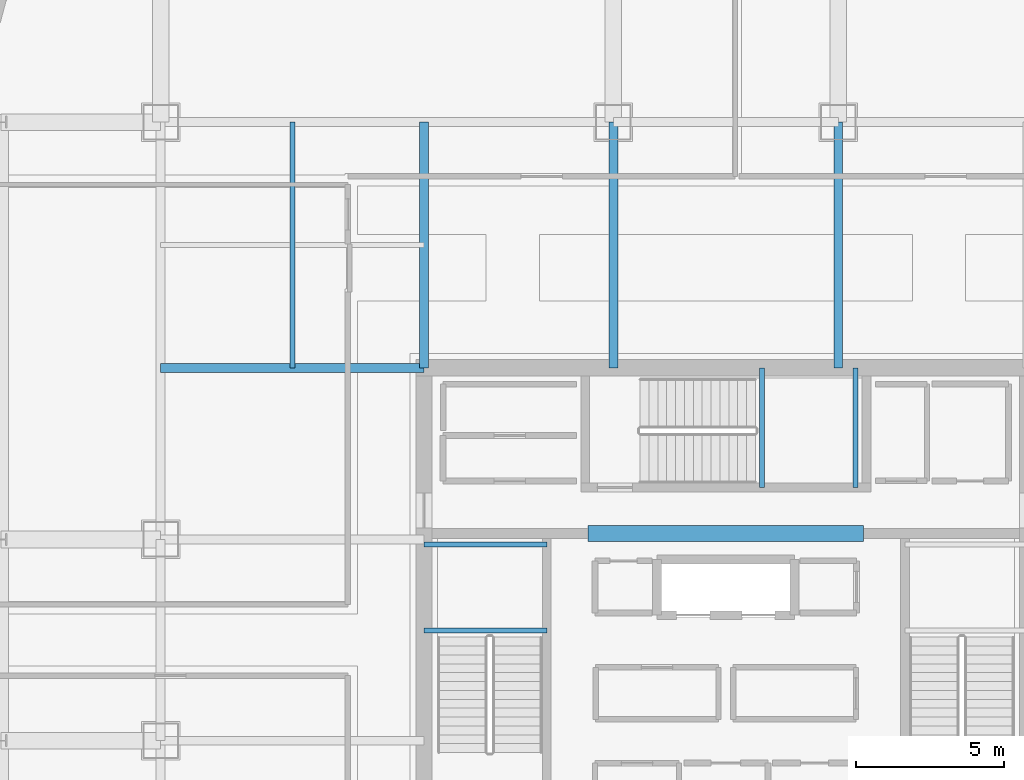
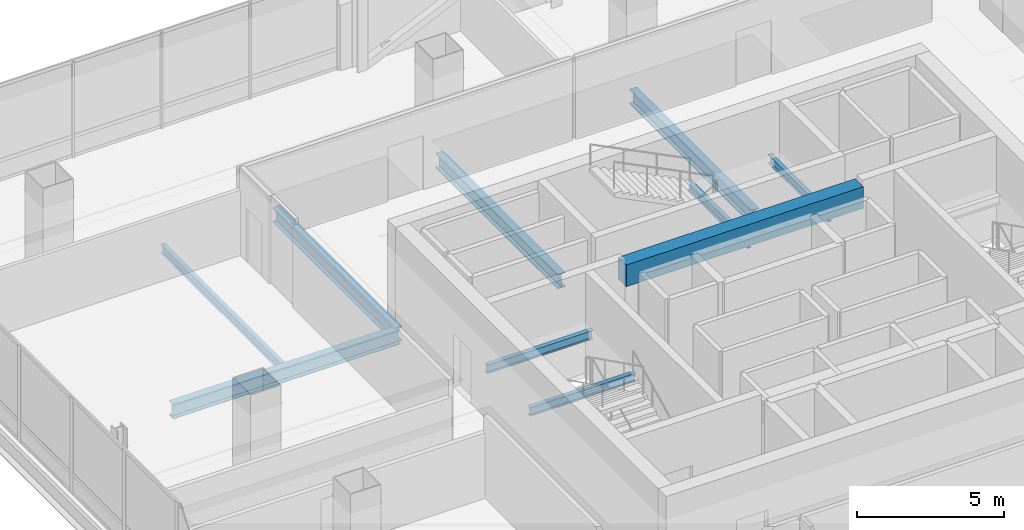
# One storey, part 13 of 43: 10 beams.
"""IFC4 building model written with IfcOpenShell, lengths in metres."""

import ifcopenshell
import ifcopenshell.guid

model = None  # the IFC model being written
_history = None  # IfcOwnerHistory: only IFC2X3 demands one
_inside = {}  # id of a spatial element -> (the spatial element, [elements in it])
_under = {}  # id of a project, library or spatial element -> (it, [spatial elements below it])
_declared = {}  # id of a project -> (the project, [libraries it declares])
_typed = {}  # id of a type object -> (the type object, [elements of that type])
_made_of = {}  # id of a material, layer set ... -> (it, [elements and type objects made of it])


def new_model(schema):
    """Start an empty IFC model of exactly this schema.

    Asked for "IFC4X3", IfcOpenShell would pick the latest addendum, in which some entities
    have other attributes; the version numbers below select the first issue.
    IFC2X3 requires an IfcOwnerHistory on every rooted entity: one is made here for all.
    """
    global model, _history
    if schema == "IFC4X3":
        model = ifcopenshell.file(schema_version=(4, 3, 0, 0))
    else:
        model = ifcopenshell.file(schema=schema)
    _inside.clear()
    _under.clear()
    _declared.clear()
    _typed.clear()
    _made_of.clear()
    _history = None
    if model.schema == "IFC2X3":
        org = make("IfcOrganization", Name="unknown")
        user = make(
            "IfcPersonAndOrganization",
            ThePerson=make("IfcPerson", FamilyName="unknown"),
            TheOrganization=org,
        )
        app = make(
            "IfcApplication",
            ApplicationDeveloper=org,
            Version="unknown",
            ApplicationFullName="unknown",
            ApplicationIdentifier="unknown",
        )
        _history = make(
            "IfcOwnerHistory",
            OwningUser=user,
            OwningApplication=app,
            ChangeAction="ADDED",
            CreationDate=0,
        )
    return model


def make(cls, **values):
    """One entity of the class cls with the attributes given. An attribute that is None is left unset."""
    return model.create_entity(
        cls, **{name: value for name, value in values.items() if value is not None}
    )


def rooted(cls, **values):
    """An entity with a GlobalId (a new one), such as an element, a storey or a relation."""
    return make(cls, GlobalId=ifcopenshell.guid.new(), OwnerHistory=_history, **values)


def si_unit(unit_type, name, prefix=None):
    """IfcSIUnit, for example si_unit("LENGTHUNIT", "METRE", prefix="MILLI")."""
    return make("IfcSIUnit", UnitType=unit_type, Prefix=prefix, Name=name)


def assignment(units):
    """IfcUnitAssignment: the units of a project."""
    return None if units is None else make("IfcUnitAssignment", Units=units)


def point(xyz):
    """IfcCartesianPoint."""
    return None if xyz is None else make("IfcCartesianPoint", Coordinates=xyz)


def direction(xyz):
    """IfcDirection."""
    return None if xyz is None else make("IfcDirection", DirectionRatios=xyz)


def frame(location, z_axis=None, x_axis=None):
    """IfcAxis2Placement3D, a coordinate frame: its origin and axes. An axis left out is left unset."""
    return make(
        "IfcAxis2Placement3D",
        Location=point(location),
        Axis=direction(z_axis),
        RefDirection=direction(x_axis),
    )


def frame_2d(location, x_axis=None):
    """IfcAxis2Placement2D, a coordinate frame in the plane: its origin and x axis."""
    return make(
        "IfcAxis2Placement2D", Location=point(location), RefDirection=direction(x_axis)
    )


def origin():
    """The frame at (0, 0, 0) with its axes left unset."""
    return frame((0.0, 0.0, 0.0))


def origin_2d():
    """The frame at (0, 0) in the plane with its x axis left unset."""
    return frame_2d((0.0, 0.0))


def place(relative_to, where):
    """IfcLocalPlacement: puts the frame where relative to a parent placement (None: the world)."""
    return make(
        "IfcLocalPlacement", PlacementRelTo=relative_to, RelativePlacement=where
    )


def context(
    kind, dimensions, precision=None, world=None, true_north=None, identifier=None
):
    """IfcGeometricRepresentationContext, for example the 3D "Model" context."""
    return make(
        "IfcGeometricRepresentationContext",
        ContextIdentifier=identifier,
        ContextType=kind,
        CoordinateSpaceDimension=dimensions,
        Precision=precision,
        WorldCoordinateSystem=world,
        TrueNorth=true_north,
    )


def subcontext(parent, identifier, kind, view, scale=None):
    """IfcGeometricRepresentationSubContext, for example "Body" below "Model"."""
    return make(
        "IfcGeometricRepresentationSubContext",
        ContextIdentifier=identifier,
        ContextType=kind,
        ParentContext=parent,
        TargetScale=scale,
        TargetView=view,
    )


def project(units=None, contexts=None):
    """IfcProject with its units and contexts."""
    return rooted(
        "IfcProject",
        Name="project",
        RepresentationContexts=contexts,
        UnitsInContext=assignment(units),
    )


def spatial(cls, under=None, at=None, **own):
    """A site, building, storey or space (cls), placed at a placement, below another one or the project."""
    s = rooted(cls, ObjectPlacement=at, **own)
    if under is not None:
        _under.setdefault(under.id(), (under, []))[1].append(s)
    return s


def profile(cls, at=None, kind="AREA", **sizes):
    """A parametric profile (cls). Its sizes go by their IFC names, for example OverallWidth=200.0."""
    return make(cls, ProfileType=kind, Position=at, **sizes)


def rectangle(**sizes):
    """IfcRectangleProfileDef."""
    return profile("IfcRectangleProfileDef", **sizes)


def i_section(**sizes):
    """IfcIShapeProfileDef."""
    return profile("IfcIShapeProfileDef", **sizes)


def extrude(swept, where, along, depth):
    """IfcExtrudedAreaSolid: the profile swept, set in the frame where, extruded along a direction by depth."""
    return make(
        "IfcExtrudedAreaSolid",
        SweptArea=swept,
        Position=where,
        ExtrudedDirection=direction(along),
        Depth=depth,
    )


def shape(context_of_items, identifier, shape_type, items):
    """IfcShapeRepresentation: the items that make up one representation, for example the "Body"."""
    return make(
        "IfcShapeRepresentation",
        ContextOfItems=context_of_items,
        RepresentationIdentifier=identifier,
        RepresentationType=shape_type,
        Items=items,
    )


def material(Name=None, Category=None):
    """IfcMaterial."""
    return make("IfcMaterial", Name=Name, Category=Category)


def material_profile(
    of_material, cross_section, Name=None, Category=None, Priority=None
):
    """IfcMaterialProfile: a cross section and its material."""
    return make(
        "IfcMaterialProfile",
        Name=Name,
        Material=of_material,
        Profile=cross_section,
        Priority=Priority,
        Category=Category,
    )


def profile_set(profiles, Name=None, composite=None):
    """IfcMaterialProfileSet."""
    return make(
        "IfcMaterialProfileSet",
        Name=Name,
        MaterialProfiles=profiles,
        CompositeProfile=composite,
    )


def made_of(thing, what):
    """Note that an element or type object is made of a material, layer set ...; save() writes the relation."""
    if what is not None:
        _made_of.setdefault(what.id(), (what, []))[1].append(thing)
    return thing


def type_object(cls, material=None, **own):
    """A type object (cls), such as IfcWallType, which elements share."""
    return made_of(rooted(cls, **own), material)


def element(
    cls,
    number,
    at=None,
    inside=None,
    cuts=None,
    type_object=None,
    material=None,
    context=None,
    identifier="Body",
    shape_type=None,
    held_by="IfcProductDefinitionShape",
    body=None,
    shapes=None,
    **own,
):
    """One element of the class cls, such as IfcWall. Its Tag is "e" and its number.

    at: its placement. inside: the storey or other place that contains it. cuts: it is an
    opening in that element (IfcRelVoidsElement). A single representation is given by context,
    identifier, shape_type and body (its items); several are given by shapes. held_by: the class
    of the entity that holds the representations. save() writes the other relations.
    """
    e = rooted(cls, Tag="e%d" % number, ObjectPlacement=at, **own)
    if body is not None:
        shapes = [shape(context, identifier, shape_type, body)]
    if shapes is not None:
        e.Representation = make(held_by, Representations=shapes)
    if inside is not None:
        _inside.setdefault(inside.id(), (inside, []))[1].append(e)
    if cuts is not None:
        rooted(
            "IfcRelVoidsElement", RelatingBuildingElement=cuts, RelatedOpeningElement=e
        )
    if type_object is not None:
        _typed.setdefault(type_object.id(), (type_object, []))[1].append(e)
    return made_of(e, material)


def aggregate(whole, parts):
    """IfcRelAggregates: a whole, such as a stair, and the parts it consists of."""
    return rooted("IfcRelAggregates", RelatingObject=whole, RelatedObjects=parts)


def save(model, path):
    """Write the relations noted so far, then the file.

    IfcRelAggregates (storeys below a building ...), IfcRelContainedInSpatialStructure (elements
    in a storey), IfcRelDefinesByType, IfcRelAssociatesMaterial and IfcRelDeclares: one each for
    every whole, place, type object, material and project.
    """
    for whole, parts in _under.values():
        aggregate(whole, parts)
    for where, things in _inside.values():
        rooted(
            "IfcRelContainedInSpatialStructure",
            RelatedElements=things,
            RelatingStructure=where,
        )
    for kind, things in _typed.values():
        rooted("IfcRelDefinesByType", RelatedObjects=things, RelatingType=kind)
    for what, things in _made_of.values():
        rooted("IfcRelAssociatesMaterial", RelatedObjects=things, RelatingMaterial=what)
    for by, libraries in _declared.values():
        rooted("IfcRelDeclares", RelatingContext=by, RelatedDefinitions=libraries)
    model.write(path)


model = new_model("IFC4")

# Units and contexts
model_context = context("Model", 3, precision=1e-05, world=origin(), true_north=direction((0.0, 1.0)))
body_context = subcontext(model_context, "Body", "Model", "MODEL_VIEW")
ifc_project = project(units=[si_unit("LENGTHUNIT", "METRE"), si_unit("AREAUNIT", "SQUARE_METRE"), si_unit("VOLUMEUNIT", "CUBIC_METRE"), si_unit("PLANEANGLEUNIT", "RADIAN"), si_unit("MASSUNIT", "GRAM", prefix="KILO")], contexts=[model_context])

# Site, building, storey
site_placement = place(None, origin())
site = spatial("IfcSite", under=ifc_project, at=site_placement, CompositionType="ELEMENT")
building_placement = place(site_placement, origin())
building = spatial("IfcBuilding", under=site, at=building_placement, Name="Punatoya Terracotta Tower", CompositionType="ELEMENT")
storey_placement = place(building_placement, frame((0.0, 0.0, 300.60009765625)))
storey = spatial("IfcBuildingStorey", under=building, at=storey_placement, Name="L71", CompositionType="ELEMENT", Elevation=300.60009765625)

# Beams
ifc_material_1 = material(Name="Steel S355", Category="steel")
ifc_material_profile_1 = material_profile(ifc_material_1, i_section(OverallWidth=0.300048828125, OverallDepth=0.60009765625, WebThickness=0.015380859375, FlangeThickness=0.030029296875, FilletRadius=0.01806640625, at=origin_2d()))
ifc_profile_set_1 = profile_set([ifc_material_profile_1], Name="Steel S355")
beam_type_1 = type_object("IfcBeamType", Name="BM-PRI-600", PredefinedType="BEAM", material=ifc_profile_set_1)
beam_1_placement = place(storey_placement, frame((-19.10009765625, 9.199951171875, -0.5), z_axis=(1.0, 0.0, 0.0), x_axis=(0.0, 1.0, 0.0)))
element("IfcBeam", 1, at=beam_1_placement, inside=storey, type_object=beam_type_1, Name="BM-L71-PR-WN", PredefinedType="BEAM", context=body_context, shape_type="SweptSolid", body=[
    extrude(i_section(OverallWidth=0.300048828125, OverallDepth=0.60009765625, WebThickness=0.015380859375, FlangeThickness=0.030029296875, FilletRadius=0.01806640625, at=origin_2d()), origin(), (0.0, 0.0, 1.0), 8.900146484375),
])
for number, where, z_axis, x_axis, name in (
    (2, (-10.199951171875, 9.199951171875, -0.5), (0.0, 1.0, 0.0), (-1.0, 0.0, 0.0), "BM-L71-PR-N1"),
    (3, (-3.800048828125, 9.199951171875, -0.5), (0.0, 1.0, 0.0), (-1.0, 0.0, 0.0), "BM-L71-PR-N2"),
    (4, (3.800048828125, 9.199951171875, -0.5), (0.0, 1.0, 0.0), (-1.0, 0.0, 0.0), "BM-L71-PR-N3"),
):
    element("IfcBeam", number, at=place(storey_placement, frame(where, z_axis=z_axis, x_axis=x_axis)), inside=storey, type_object=beam_type_1, Name=name, PredefinedType="BEAM", context=body_context, shape_type="SweptSolid", body=[
        extrude(i_section(OverallWidth=0.300048828125, OverallDepth=0.60009765625, WebThickness=0.015380859375, FlangeThickness=0.030029296875, FilletRadius=0.01806640625, at=origin_2d()), origin(), (0.0, 0.0, 1.0), 8.300048828125),
    ])
ifc_material_2 = material(Name="Concrete C50/60", Category="concrete")
ifc_material_profile_2 = material_profile(ifc_material_2, rectangle(XDim=0.550048828125, YDim=0.89990234375, at=origin_2d()))
ifc_profile_set_2 = profile_set([ifc_material_profile_2], Name="Concrete C50/60")
beam_type_2 = type_object("IfcBeamType", Name="BM-RC-900", PredefinedType="LINTEL", material=ifc_profile_set_2)
beam_2_placement = place(storey_placement, frame((-4.64990234375, 3.60009765625, 3.5498046875), z_axis=(1.0, 0.0, 0.0), x_axis=(0.0, 1.0, 0.0)))
element("IfcBeam", 5, at=beam_2_placement, inside=storey, type_object=beam_type_2, Name="L71 Core Coupling Lintel CNW", PredefinedType="LINTEL", context=body_context, shape_type="SweptSolid", body=[
    extrude(rectangle(XDim=0.550048828125, YDim=0.89990234375, at=origin_2d()), origin(), (0.0, 0.0, 1.0), 9.2998046875),
])
ifc_material_profile_3 = material_profile(ifc_material_1, i_section(OverallWidth=0.169921875, OverallDepth=0.360107421875, WebThickness=0.008056640625, FlangeThickness=0.0126953125, FilletRadius=0.01806640625, at=origin_2d()))
ifc_profile_set_3 = profile_set([ifc_material_profile_3], Name="Steel S355")
beam_type_3 = type_object("IfcBeamType", Name="BM-SEC-360", PredefinedType="JOIST", material=ifc_profile_set_3)
beam_3_placement = place(storey_placement, frame((-14.64990234375, 9.199951171875, -0.380126953125), z_axis=(0.0, 1.0, 0.0), x_axis=(-1.0, 0.0, 0.0)))
element("IfcBeam", 6, at=beam_3_placement, inside=storey, type_object=beam_type_3, Name="BM-L71-SJW-2", PredefinedType="JOIST", context=body_context, shape_type="SweptSolid", body=[
    extrude(i_section(OverallWidth=0.169921875, OverallDepth=0.360107421875, WebThickness=0.008056640625, FlangeThickness=0.0126953125, FilletRadius=0.01806640625, at=origin_2d()), origin(), (0.0, 0.0, 1.0), 8.300048828125),
])
for number, where, z_axis, x_axis, name in (
    (7, (-10.199951171875, 0.320068359375, 1.719970703125), (1.0, 0.0, 0.0), (0.0, 1.0, 0.0), "BM-L71-ST-1-LD1A"),
    (8, (-10.199951171875, 3.22998046875, 1.719970703125), (1.0, 0.0, 0.0), (0.0, 1.0, 0.0), "BM-L71-ST-1-LD1B"),
):
    element("IfcBeam", number, at=place(storey_placement, frame(where, z_axis=z_axis, x_axis=x_axis)), inside=storey, type_object=beam_type_3, Name=name, PredefinedType="JOIST", context=body_context, shape_type="SweptSolid", body=[
        extrude(i_section(OverallWidth=0.169921875, OverallDepth=0.360107421875, WebThickness=0.008056640625, FlangeThickness=0.0126953125, FilletRadius=0.01806640625, at=origin_2d()), origin(), (0.0, 0.0, 1.0), 4.14990234375),
    ])
for number, where, z_axis, x_axis, name in (
    (9, (1.219970703125, 5.14990234375, 1.719970703125), (0.0, 1.0, 0.0), (-1.0, 0.0, 0.0), "BM-L71-ST-3-LD1A"),
    (10, (4.3798828125, 5.14990234375, 1.719970703125), (0.0, 1.0, 0.0), (-1.0, 0.0, 0.0), "BM-L71-ST-3-LD1B"),
):
    element("IfcBeam", number, at=place(storey_placement, frame(where, z_axis=z_axis, x_axis=x_axis)), inside=storey, type_object=beam_type_3, Name=name, PredefinedType="JOIST", context=body_context, shape_type="SweptSolid", body=[
        extrude(i_section(OverallWidth=0.169921875, OverallDepth=0.360107421875, WebThickness=0.008056640625, FlangeThickness=0.0126953125, FilletRadius=0.01806640625, at=origin_2d()), origin(), (0.0, 0.0, 1.0), 4.050048828125),
    ])

save(model, "model.ifc")
